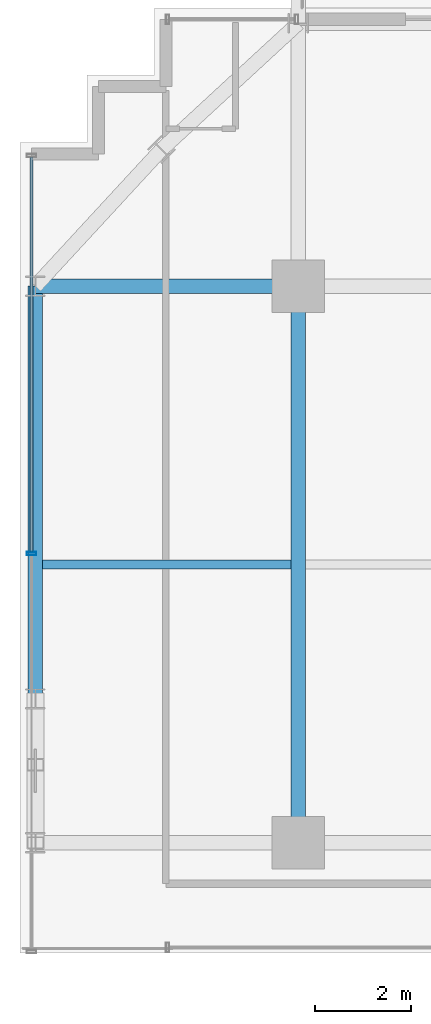
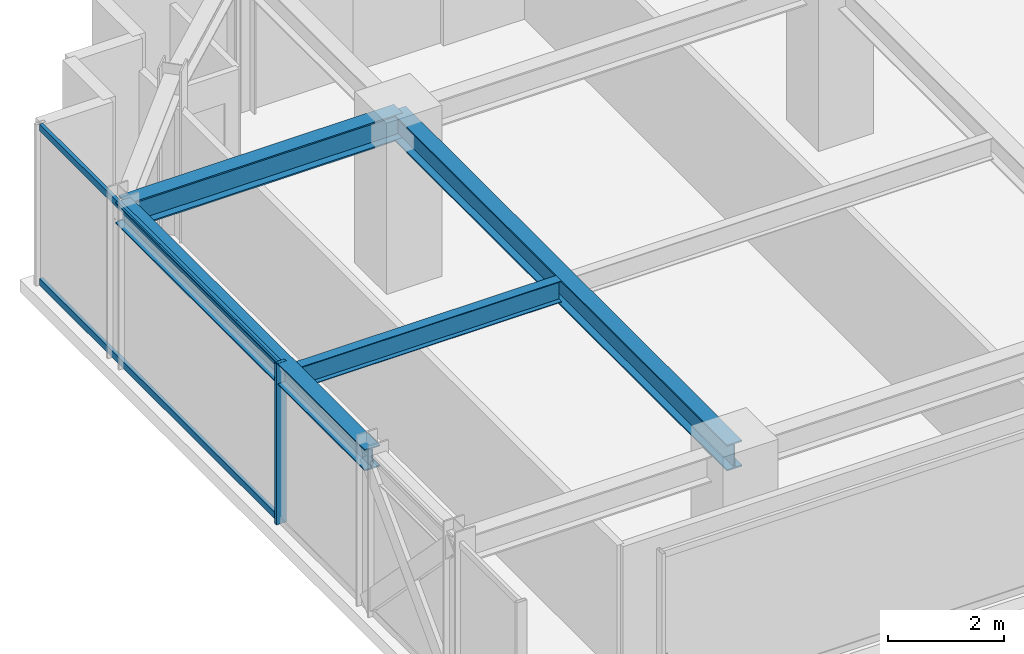
# One storey, part 20 of 36: 4 beams, 3 members, 1 element without a shape of its own.
"""IFC4 building model written with IfcOpenShell, lengths in metres."""

from ifc_helpers import new_model, si_unit, direction, frame, origin, origin_2d, place, context, subcontext, project, spatial, hollow_rectangle, i_section, extrude, source, transform, mapped, material, material_profile, profile_set, type_object, element, aggregate, save


model = new_model("IFC4")

# Units and contexts
model_context = context("Model", 3, precision=1e-05, world=origin(), true_north=direction((0.0, 1.0)))
body_context = subcontext(model_context, "Body", "Model", "MODEL_VIEW")
ifc_project = project(units=[si_unit("LENGTHUNIT", "METRE"), si_unit("AREAUNIT", "SQUARE_METRE"), si_unit("VOLUMEUNIT", "CUBIC_METRE"), si_unit("PLANEANGLEUNIT", "RADIAN"), si_unit("MASSUNIT", "GRAM", prefix="KILO")], contexts=[model_context])

# Site, building, storey
site_placement = place(None, origin())
site = spatial("IfcSite", under=ifc_project, at=site_placement, CompositionType="ELEMENT")
building_placement = place(site_placement, origin())
building = spatial("IfcBuilding", under=site, at=building_placement, Name="Nahalor Promenade Grand Hotel", CompositionType="ELEMENT")
storey_placement = place(building_placement, frame((0.0, 0.0, 174.550048828125)))
storey = spatial("IfcBuildingStorey", under=building, at=storey_placement, Name="L44", CompositionType="ELEMENT", Elevation=174.550048828125)

# Beams
ifc_material_1 = material(Name="Steel S355JR", Category="steel")
ifc_material_profile_1 = material_profile(ifc_material_1, i_section(OverallWidth=0.3, OverallDepth=0.55, WebThickness=0.015, FlangeThickness=0.029, at=origin_2d()), Name="HEB 550")
ifc_profile_set_1 = profile_set([ifc_material_profile_1], Name="Steel S355JR")
beam_type_1 = type_object("IfcBeamType", Name="Beam-Girder-HEB550", PredefinedType="BEAM", material=ifc_profile_set_1)
shared_shape_1 = source(origin(), body_context, "Body", "SweptSolid", [
    extrude(i_section(OverallWidth=0.3, OverallDepth=0.55, WebThickness=0.015, FlangeThickness=0.029, at=origin_2d()), origin(), (0.0, 0.0, 1.0), 11.60009765625),
])
beam_1_placement = place(storey_placement, frame((-17.0, 5.39990234375, 3.114990234375), z_axis=(0.0, 1.0, 0.0), x_axis=(-1.0, 0.0, 0.0)))
element("IfcBeam", 1, at=beam_1_placement, inside=storey, type_object=beam_type_1, Name="BM-L44-GY-0-3", PredefinedType="BEAM", context=body_context, shape_type="MappedRepresentation", body=[
    mapped(shared_shape_1, transform((0.0, 0.0, 0.0), scale=1.0)),
])
shared_shape_2 = source(origin(), body_context, "Body", "SweptSolid", [
    extrude(i_section(OverallWidth=0.3, OverallDepth=0.55, WebThickness=0.015, FlangeThickness=0.029, at=origin_2d()), origin(), (0.0, 0.0, 1.0), 5.47998046875),
])
beam_2_placement = place(storey_placement, frame((-22.47998046875, 17.0, 3.114990234375), z_axis=(1.0, 0.0, 0.0), x_axis=(0.0, 1.0, 0.0)))
element("IfcBeam", 2, at=beam_2_placement, inside=storey, type_object=beam_type_1, Name="BM-L44-GX-3-0", PredefinedType="BEAM", context=body_context, shape_type="MappedRepresentation", body=[
    mapped(shared_shape_2, transform((0.0, 0.0, 0.0), scale=1.0)),
])
ifc_material_profile_2 = material_profile(ifc_material_1, i_section(OverallWidth=0.19, OverallDepth=0.45, WebThickness=0.0094, FlangeThickness=0.0146, at=origin_2d()), Name="IPE 450")
ifc_profile_set_2 = profile_set([ifc_material_profile_2], Name="Steel S355JR")
beam_type_2 = type_object("IfcBeamType", Name="Beam-Joist-IPE450", PredefinedType="JOIST", material=ifc_profile_set_2)
shared_shape_3 = source(origin(), body_context, "Body", "SweptSolid", [
    extrude(i_section(OverallWidth=0.19, OverallDepth=0.45, WebThickness=0.0094, FlangeThickness=0.0146, at=origin_2d()), origin(), (0.0, 0.0, 1.0), 5.18017578125),
])
beam_3_placement = place(storey_placement, frame((-22.330078125, 11.199951171875, 3.1650390625), z_axis=(1.0, 0.0, 0.0), x_axis=(0.0, 1.0, 0.0)))
element("IfcBeam", 3, at=beam_3_placement, inside=storey, type_object=beam_type_2, Name="BM-L44-JSW-1-0", PredefinedType="JOIST", context=body_context, shape_type="MappedRepresentation", body=[
    mapped(shared_shape_3, transform((0.0, 0.0, 0.0), scale=1.0)),
])
ifc_material_profile_3 = material_profile(ifc_material_1, i_section(OverallWidth=0.3, OverallDepth=0.45, WebThickness=0.014, FlangeThickness=0.026, at=origin_2d()), Name="HEB 450")
ifc_profile_set_3 = profile_set([ifc_material_profile_3], Name="Steel S355JR")
beam_type_3 = type_object("IfcBeamType", Name="Beam-Spandrel-HEB450", PredefinedType="SPANDREL", material=ifc_profile_set_3)
shared_shape_4 = source(origin(), body_context, "Body", "SweptSolid", [
    extrude(i_section(OverallWidth=0.3, OverallDepth=0.45, WebThickness=0.014, FlangeThickness=0.026, at=origin_2d()), origin(), (0.0, 0.0, 1.0), 8.60009765625),
])
beam_4_placement = place(storey_placement, frame((-22.47998046875, 8.39990234375, 3.1650390625), z_axis=(0.0, 1.0, 0.0), x_axis=(-1.0, 0.0, 0.0)))
element("IfcBeam", 4, at=beam_4_placement, inside=storey, type_object=beam_type_3, Name="BM-L44-SP-W-4", PredefinedType="SPANDREL", context=body_context, shape_type="MappedRepresentation", body=[
    mapped(shared_shape_4, transform((0.0, 0.0, 0.0), scale=1.0)),
])

# Curtain wall, members
ifc_material_2 = material(Name="Anodised Bronze Aluminium EN AW-6063 T6", Category="aluminium")
curtain_wall_type = type_object("IfcCurtainWallType", Name="CW3 Elliptical-Void Collar Unitised Curtain Wall", PredefinedType="USERDEFINED", material=ifc_material_2)
curtain_wall_placement = place(storey_placement, origin())
curtain_wall = element("IfcCurtainWall", 5, at=curtain_wall_placement, inside=storey, type_object=curtain_wall_type, Name="L44 Curtain Wall CW-L44-W-2", ObjectType="UNITISED_CURTAIN_WALL", PredefinedType="USERDEFINED")
ifc_material_profile_4 = material_profile(ifc_material_2, hollow_rectangle(XDim=0.07, YDim=0.2, WallThickness=0.005, at=origin_2d()), Name="CWM 70x200x5")
ifc_profile_set_4 = profile_set([ifc_material_profile_4], Name="Anodised Bronze Aluminium EN AW-6063 T6")
member_type_1 = type_object("IfcMemberType", Name="CWM3 Void Collar Mullion 70x200", PredefinedType="MULLION", material=ifc_profile_set_4)
shared_shape_5 = source(origin(), body_context, "Body", "SweptSolid", [
    extrude(hollow_rectangle(XDim=0.07, YDim=0.2, WallThickness=0.005, at=origin_2d()), origin(), (0.0, 0.0, 1.0), 3.389892578125),
])
member_1_placement = place(storey_placement, frame((-22.56005859375, 11.429931640625, 0.0), z_axis=(0.0, 0.0, 1.0), x_axis=(0.0, 1.0, 0.0)))
member_1 = element("IfcMember", 6, at=member_1_placement, type_object=member_type_1, Name="CW-L44-W-2 Mullion 1", PredefinedType="MULLION", context=body_context, shape_type="MappedRepresentation", body=[
    mapped(shared_shape_5, transform((0.0, 0.0, 0.0), scale=1.0)),
])
ifc_material_profile_5 = material_profile(ifc_material_2, hollow_rectangle(XDim=0.07, YDim=0.14, WallThickness=0.004, at=origin_2d()), Name="CWT 70x140x4")
ifc_profile_set_5 = profile_set([ifc_material_profile_5], Name="Anodised Bronze Aluminium EN AW-6063 T6")
member_type_2 = type_object("IfcMemberType", Name="CWT3 Void Collar Transom 70x140", PredefinedType="USERDEFINED", material=ifc_profile_set_5)
shared_shape_6 = source(origin(), body_context, "Body", "SweptSolid", [
    extrude(hollow_rectangle(XDim=0.07, YDim=0.14, WallThickness=0.004, at=origin_2d()), origin(), (0.0, 0.0, 1.0), 8.224853515625),
])
member_2_placement = place(storey_placement, frame((-22.56005859375, 11.465087890625, 0.070068359375), z_axis=(0.0, 1.0, 0.0), x_axis=(-1.0, 0.0, 0.0)))
member_2 = element("IfcMember", 7, at=member_2_placement, type_object=member_type_2, Name="CW-L44-W-2 Transom 1-0", ObjectType="TRANSOM", PredefinedType="USERDEFINED", context=body_context, shape_type="MappedRepresentation", body=[
    mapped(shared_shape_6, transform((0.0, 0.0, 0.0), scale=1.0)),
])
member_3_placement = place(storey_placement, frame((-22.56005859375, 11.465087890625, 3.320068359375), z_axis=(0.0, 1.0, 0.0), x_axis=(-1.0, 0.0, 0.0)))
member_3 = element("IfcMember", 8, at=member_3_placement, type_object=member_type_2, Name="CW-L44-W-2 Transom 1-1", ObjectType="TRANSOM", PredefinedType="USERDEFINED", context=body_context, shape_type="MappedRepresentation", body=[
    mapped(shared_shape_6, transform((0.0, 0.0, 0.0), scale=1.0)),
])
aggregate(curtain_wall, [member_1, member_2, member_3])

save(model, "model.ifc")
